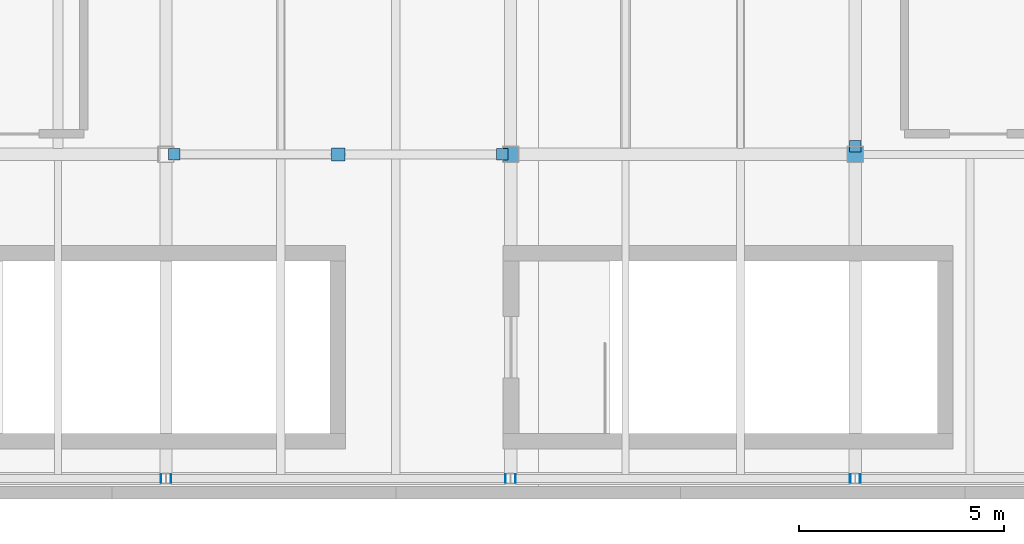
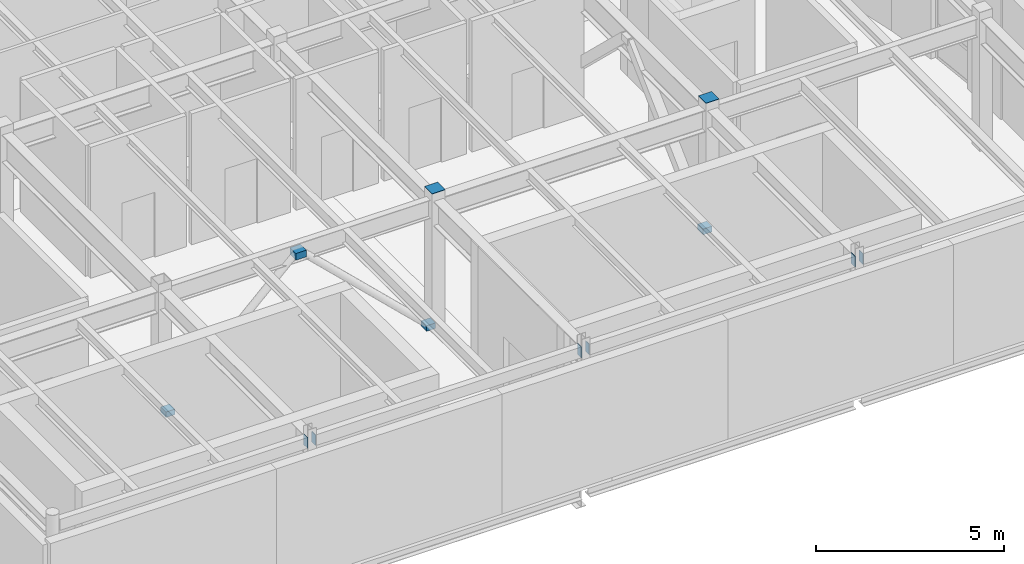
# One storey, part 20 of 26: 12 discrete accessories.
"""IFC4 building model written with IfcOpenShell, lengths in metres."""

from ifc_helpers import new_model, si_unit, direction, frame, origin, origin_2d, place, context, subcontext, project, spatial, rectangle, extrude, material, type_object, element, save


model = new_model("IFC4")

# Units and contexts
model_context = context("Model", 3, precision=1e-05, world=origin(), true_north=direction((0.0, 1.0)))
body_context = subcontext(model_context, "Body", "Model", "MODEL_VIEW")
ifc_project = project(units=[si_unit("LENGTHUNIT", "METRE"), si_unit("AREAUNIT", "SQUARE_METRE"), si_unit("VOLUMEUNIT", "CUBIC_METRE"), si_unit("PLANEANGLEUNIT", "RADIAN"), si_unit("MASSUNIT", "GRAM", prefix="KILO"), si_unit("THERMODYNAMICTEMPERATUREUNIT", "KELVIN")], contexts=[model_context])

# Site, building, storey
site_placement = place(None, origin())
site = spatial("IfcSite", under=ifc_project, at=site_placement, CompositionType="ELEMENT")
building_placement = place(site_placement, origin())
building = spatial("IfcBuilding", under=site, at=building_placement, Name="Lustrewick Department Store", CompositionType="ELEMENT")
storey_placement = place(building_placement, frame((0.0, 0.0, 36.300048828125)))
storey = spatial("IfcBuildingStorey", under=building, at=storey_placement, Name="L08", CompositionType="ELEMENT", Elevation=36.300048828125)

# Discrete accessories
ifc_material = material(Name="Structural steel Q355C", Category="steel")
discrete_accessory_type_1 = type_object("IfcDiscreteAccessoryType", Name="GUS-NODE", PredefinedType="BRACKET", material=ifc_material)
for number, where, z_axis, x_axis, name in (
    (1, (117.800048828125, 58.800048828125, 0.06005859375), (0.0, 0.0, 1.0), (1.0, 0.0, 0.0), "L08 V4 Brace Base Gusset Plate"),
    (2, (125.800048828125, 58.800048828125, 0.06005859375), (0.0, 0.0, 1.0), (1.0, 0.0, 0.0), "L08 V4 Brace Base Gusset Plate"),
):
    element("IfcDiscreteAccessory", number, at=place(storey_placement, frame(where, z_axis=z_axis, x_axis=x_axis)), inside=storey, type_object=discrete_accessory_type_1, Name=name, PredefinedType="BRACKET", context=body_context, shape_type="SweptSolid", body=[
        extrude(rectangle(XDim=0.280029296875, YDim=0.280029296875, at=origin_2d()), origin(), (0.0, 0.0, 1.0), 0.179931640625),
    ])
discrete_accessory_1_placement = place(storey_placement, frame((121.800048828125, 58.800048828125, 3.78515625), z_axis=(0.0, 0.0, 1.0), x_axis=(1.0, 0.0, 0.0)))
element("IfcDiscreteAccessory", 3, at=discrete_accessory_1_placement, inside=storey, type_object=discrete_accessory_type_1, Name="L08 V4 Chevron Brace Apex Gusset Plate", PredefinedType="BRACKET", context=body_context, shape_type="SweptSolid", body=[
    extrude(rectangle(XDim=0.320068359375, YDim=0.320068359375, at=origin_2d()), origin(), (0.0, 0.0, 1.0), 0.219970703125),
])
discrete_accessory_2_placement = place(storey_placement, frame((134.39990234375, 59.0, 0.06005859375), z_axis=(0.0, 0.0, 1.0), x_axis=(1.0, 0.0, 0.0)))
element("IfcDiscreteAccessory", 4, at=discrete_accessory_2_placement, inside=storey, type_object=discrete_accessory_type_1, Name="L08 V4 Brace Base Gusset Plate", PredefinedType="BRACKET", context=body_context, shape_type="SweptSolid", body=[
    extrude(rectangle(XDim=0.280029296875, YDim=0.280029296875, at=origin_2d()), origin(), (0.0, 0.0, 1.0), 0.179931640625),
])
discrete_accessory_type_2 = type_object("IfcDiscreteAccessoryType", Name="ECP-01", PredefinedType="USERDEFINED", material=ifc_material)
discrete_accessory_3_placement = place(storey_placement, frame((126.0, 58.800048828125, 4.493896484375), z_axis=(0.0, 0.0, 1.0), x_axis=(1.0, 0.0, 0.0)))
element("IfcDiscreteAccessory", 5, at=discrete_accessory_3_placement, inside=storey, type_object=discrete_accessory_type_2, Name="L08 Welded Hollow-Section End-Cap Plate ECP-01", ObjectType="END_CAP_PLATE", PredefinedType="USERDEFINED", context=body_context, shape_type="SweptSolid", body=[
    extrude(rectangle(XDim=0.39990234375, YDim=0.39990234375, at=origin_2d()), origin(), (0.0, 0.0, 1.0), 0.01611328125),
])
for number, where, z_axis, x_axis, name in (
    (6, (117.468994140625, 50.89990234375, 4.070068359375), (1.0, 0.0, 0.0), (0.0, 1.0, 0.0), "L08 Welded Hollow-Section End-Cap Plate ECP-01"),
    (7, (134.268798828125, 50.89990234375, 4.070068359375), (1.0, 0.0, 0.0), (0.0, 1.0, 0.0), "L08 Welded Hollow-Section End-Cap Plate ECP-01"),
    (8, (126.131103515625, 50.89990234375, 4.070068359375), (-1.0, 0.0, 0.0), (0.0, 1.0, 0.0), "L08 Welded Hollow-Section End-Cap Plate ECP-01"),
    (9, (125.868896484375, 50.89990234375, 4.070068359375), (1.0, 0.0, 0.0), (0.0, 1.0, 0.0), "L08 Welded Hollow-Section End-Cap Plate ECP-01"),
    (10, (117.731201171875, 50.89990234375, 4.070068359375), (-1.0, 0.0, 0.0), (0.0, 1.0, 0.0), "L08 Welded Hollow-Section End-Cap Plate ECP-01"),
):
    element("IfcDiscreteAccessory", number, at=place(storey_placement, frame(where, z_axis=z_axis, x_axis=x_axis)), inside=storey, type_object=discrete_accessory_type_2, Name=name, ObjectType="END_CAP_PLATE", PredefinedType="USERDEFINED", context=body_context, shape_type="SweptSolid", body=[
        extrude(rectangle(XDim=0.199951171875, YDim=0.35009765625, at=origin_2d()), origin(), (0.0, 0.0, 1.0), 0.01611328125),
    ])
discrete_accessory_4_placement = place(storey_placement, frame((134.39990234375, 58.800048828125, 4.493896484375), z_axis=(0.0, 0.0, 1.0), x_axis=(1.0, 0.0, 0.0)))
element("IfcDiscreteAccessory", 11, at=discrete_accessory_4_placement, inside=storey, type_object=discrete_accessory_type_2, Name="L08 Welded Hollow-Section End-Cap Plate ECP-01", ObjectType="END_CAP_PLATE", PredefinedType="USERDEFINED", context=body_context, shape_type="SweptSolid", body=[
    extrude(rectangle(XDim=0.39990234375, YDim=0.39990234375, at=origin_2d()), origin(), (0.0, 0.0, 1.0), 0.01611328125),
])
discrete_accessory_5_placement = place(storey_placement, frame((134.531005859375, 50.89990234375, 4.070068359375), z_axis=(-1.0, 0.0, 0.0), x_axis=(0.0, 1.0, 0.0)))
element("IfcDiscreteAccessory", 12, at=discrete_accessory_5_placement, inside=storey, type_object=discrete_accessory_type_2, Name="L08 Welded Hollow-Section End-Cap Plate ECP-01", ObjectType="END_CAP_PLATE", PredefinedType="USERDEFINED", context=body_context, shape_type="SweptSolid", body=[
    extrude(rectangle(XDim=0.199951171875, YDim=0.35009765625, at=origin_2d()), origin(), (0.0, 0.0, 1.0), 0.01611328125),
])

save(model, "model.ifc")
